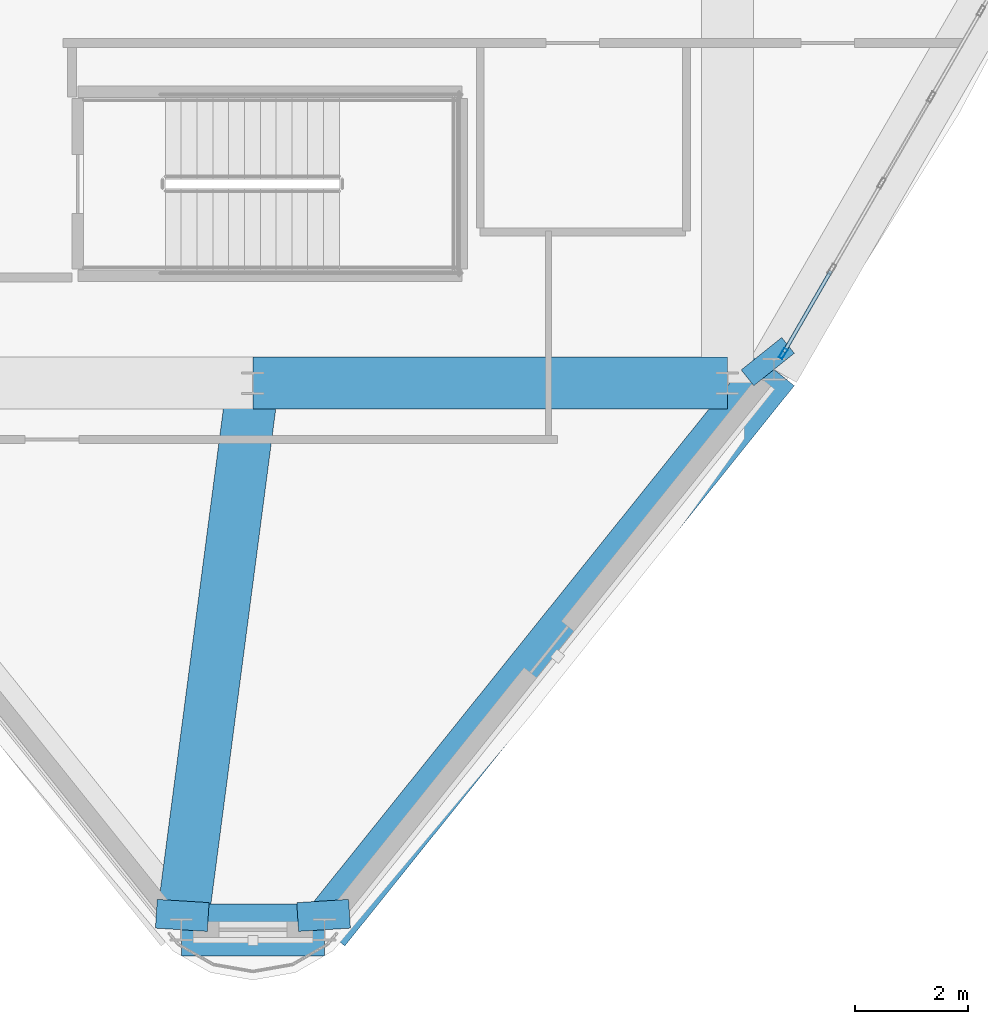
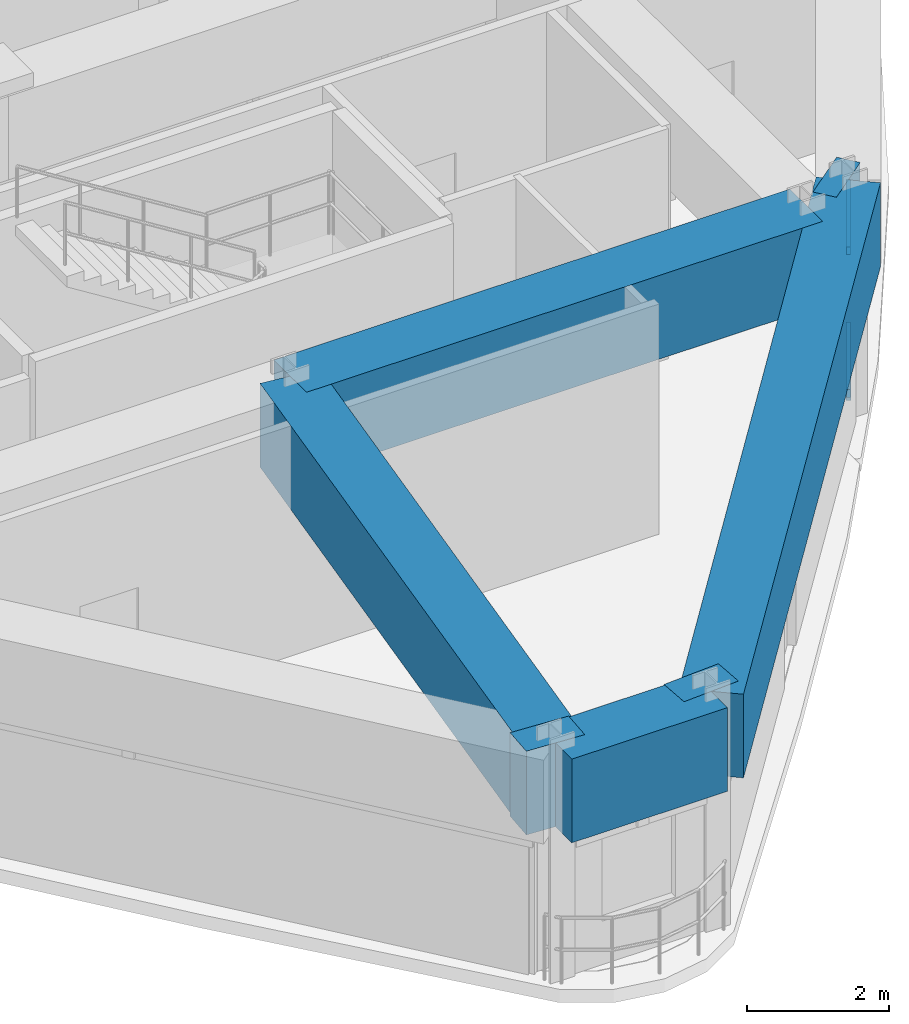
# One storey, part 3 of 17: 7 beams, 3 members, 1 element without a shape of its own.
"""IFC4 building model written with IfcOpenShell, lengths in metres."""

import ifcopenshell
import ifcopenshell.guid

model = None  # the IFC model being written
_history = None  # IfcOwnerHistory: only IFC2X3 demands one
_inside = {}  # id of a spatial element -> (the spatial element, [elements in it])
_under = {}  # id of a project, library or spatial element -> (it, [spatial elements below it])
_declared = {}  # id of a project -> (the project, [libraries it declares])
_typed = {}  # id of a type object -> (the type object, [elements of that type])
_made_of = {}  # id of a material, layer set ... -> (it, [elements and type objects made of it])


def new_model(schema):
    """Start an empty IFC model of exactly this schema.

    Asked for "IFC4X3", IfcOpenShell would pick the latest addendum, in which some entities
    have other attributes; the version numbers below select the first issue.
    IFC2X3 requires an IfcOwnerHistory on every rooted entity: one is made here for all.
    """
    global model, _history
    if schema == "IFC4X3":
        model = ifcopenshell.file(schema_version=(4, 3, 0, 0))
    else:
        model = ifcopenshell.file(schema=schema)
    _inside.clear()
    _under.clear()
    _declared.clear()
    _typed.clear()
    _made_of.clear()
    _history = None
    if model.schema == "IFC2X3":
        org = make("IfcOrganization", Name="unknown")
        user = make(
            "IfcPersonAndOrganization",
            ThePerson=make("IfcPerson", FamilyName="unknown"),
            TheOrganization=org,
        )
        app = make(
            "IfcApplication",
            ApplicationDeveloper=org,
            Version="unknown",
            ApplicationFullName="unknown",
            ApplicationIdentifier="unknown",
        )
        _history = make(
            "IfcOwnerHistory",
            OwningUser=user,
            OwningApplication=app,
            ChangeAction="ADDED",
            CreationDate=0,
        )
    return model


def make(cls, **values):
    """One entity of the class cls with the attributes given. An attribute that is None is left unset."""
    return model.create_entity(
        cls, **{name: value for name, value in values.items() if value is not None}
    )


def rooted(cls, **values):
    """An entity with a GlobalId (a new one), such as an element, a storey or a relation."""
    return make(cls, GlobalId=ifcopenshell.guid.new(), OwnerHistory=_history, **values)


def si_unit(unit_type, name, prefix=None):
    """IfcSIUnit, for example si_unit("LENGTHUNIT", "METRE", prefix="MILLI")."""
    return make("IfcSIUnit", UnitType=unit_type, Prefix=prefix, Name=name)


def derived_unit(unit_type, elements):
    """IfcDerivedUnit: a product of units, each with its exponent."""
    return make(
        "IfcDerivedUnit",
        Elements=[
            make("IfcDerivedUnitElement", Unit=unit, Exponent=power)
            for unit, power in elements
        ],
        UnitType=unit_type,
    )


def assignment(units):
    """IfcUnitAssignment: the units of a project."""
    return None if units is None else make("IfcUnitAssignment", Units=units)


def point(xyz):
    """IfcCartesianPoint."""
    return None if xyz is None else make("IfcCartesianPoint", Coordinates=xyz)


def direction(xyz):
    """IfcDirection."""
    return None if xyz is None else make("IfcDirection", DirectionRatios=xyz)


def frame(location, z_axis=None, x_axis=None):
    """IfcAxis2Placement3D, a coordinate frame: its origin and axes. An axis left out is left unset."""
    return make(
        "IfcAxis2Placement3D",
        Location=point(location),
        Axis=direction(z_axis),
        RefDirection=direction(x_axis),
    )


def frame_2d(location, x_axis=None):
    """IfcAxis2Placement2D, a coordinate frame in the plane: its origin and x axis."""
    return make(
        "IfcAxis2Placement2D", Location=point(location), RefDirection=direction(x_axis)
    )


def origin():
    """The frame at (0, 0, 0) with its axes left unset."""
    return frame((0.0, 0.0, 0.0))


def origin_2d():
    """The frame at (0, 0) in the plane with its x axis left unset."""
    return frame_2d((0.0, 0.0))


def place(relative_to, where):
    """IfcLocalPlacement: puts the frame where relative to a parent placement (None: the world)."""
    return make(
        "IfcLocalPlacement", PlacementRelTo=relative_to, RelativePlacement=where
    )


def context(
    kind, dimensions, precision=None, world=None, true_north=None, identifier=None
):
    """IfcGeometricRepresentationContext, for example the 3D "Model" context."""
    return make(
        "IfcGeometricRepresentationContext",
        ContextIdentifier=identifier,
        ContextType=kind,
        CoordinateSpaceDimension=dimensions,
        Precision=precision,
        WorldCoordinateSystem=world,
        TrueNorth=true_north,
    )


def subcontext(parent, identifier, kind, view, scale=None):
    """IfcGeometricRepresentationSubContext, for example "Body" below "Model"."""
    return make(
        "IfcGeometricRepresentationSubContext",
        ContextIdentifier=identifier,
        ContextType=kind,
        ParentContext=parent,
        TargetScale=scale,
        TargetView=view,
    )


def project(units=None, contexts=None):
    """IfcProject with its units and contexts."""
    return rooted(
        "IfcProject",
        Name="project",
        RepresentationContexts=contexts,
        UnitsInContext=assignment(units),
    )


def spatial(cls, under=None, at=None, **own):
    """A site, building, storey or space (cls), placed at a placement, below another one or the project."""
    s = rooted(cls, ObjectPlacement=at, **own)
    if under is not None:
        _under.setdefault(under.id(), (under, []))[1].append(s)
    return s


def profile(cls, at=None, kind="AREA", **sizes):
    """A parametric profile (cls). Its sizes go by their IFC names, for example OverallWidth=200.0."""
    return make(cls, ProfileType=kind, Position=at, **sizes)


def rectangle(**sizes):
    """IfcRectangleProfileDef."""
    return profile("IfcRectangleProfileDef", **sizes)


def hollow_rectangle(**sizes):
    """IfcRectangleHollowProfileDef."""
    return profile("IfcRectangleHollowProfileDef", **sizes)


def extrude(swept, where, along, depth):
    """IfcExtrudedAreaSolid: the profile swept, set in the frame where, extruded along a direction by depth."""
    return make(
        "IfcExtrudedAreaSolid",
        SweptArea=swept,
        Position=where,
        ExtrudedDirection=direction(along),
        Depth=depth,
    )


def shape(context_of_items, identifier, shape_type, items):
    """IfcShapeRepresentation: the items that make up one representation, for example the "Body"."""
    return make(
        "IfcShapeRepresentation",
        ContextOfItems=context_of_items,
        RepresentationIdentifier=identifier,
        RepresentationType=shape_type,
        Items=items,
    )


def source(mapping_origin, context_of_items, identifier, shape_type, items):
    """IfcRepresentationMap: a shape defined once, which mapped items show again and again."""
    return make(
        "IfcRepresentationMap",
        MappingOrigin=mapping_origin,
        MappedRepresentation=shape(context_of_items, identifier, shape_type, items),
    )


def transform(
    local_origin,
    x_axis=None,
    y_axis=None,
    z_axis=None,
    scale=None,
    scale2=None,
    scale3=None,
    uniform=True,
):
    """IfcCartesianTransformationOperator3D, or its non-uniform kind. x_axis, y_axis, z_axis: its Axis1, 2, 3."""
    if uniform:
        return make(
            "IfcCartesianTransformationOperator3D",
            Axis1=direction(x_axis),
            Axis2=direction(y_axis),
            LocalOrigin=point(local_origin),
            Scale=scale,
            Axis3=direction(z_axis),
        )
    return make(
        "IfcCartesianTransformationOperator3DnonUniform",
        Axis1=direction(x_axis),
        Axis2=direction(y_axis),
        LocalOrigin=point(local_origin),
        Scale=scale,
        Axis3=direction(z_axis),
        Scale2=scale2,
        Scale3=scale3,
    )


def mapped(mapping_source, mapping_target):
    """IfcMappedItem: shows the shape of a source again, moved by a transform."""
    return make(
        "IfcMappedItem", MappingSource=mapping_source, MappingTarget=mapping_target
    )


def material(Name=None, Category=None):
    """IfcMaterial."""
    return make("IfcMaterial", Name=Name, Category=Category)


def layer(
    of_material, thickness, ventilated=None, Name=None, Category=None, Priority=None
):
    """IfcMaterialLayer: one layer of a wall or slab, of a material (None: an air gap)."""
    return make(
        "IfcMaterialLayer",
        Material=of_material,
        LayerThickness=thickness,
        IsVentilated=ventilated,
        Name=Name,
        Category=Category,
        Priority=Priority,
    )


def layer_set(layers, Name=None):
    """IfcMaterialLayerSet."""
    return make("IfcMaterialLayerSet", MaterialLayers=layers, LayerSetName=Name)


def material_profile(
    of_material, cross_section, Name=None, Category=None, Priority=None
):
    """IfcMaterialProfile: a cross section and its material."""
    return make(
        "IfcMaterialProfile",
        Name=Name,
        Material=of_material,
        Profile=cross_section,
        Priority=Priority,
        Category=Category,
    )


def profile_set(profiles, Name=None, composite=None):
    """IfcMaterialProfileSet."""
    return make(
        "IfcMaterialProfileSet",
        Name=Name,
        MaterialProfiles=profiles,
        CompositeProfile=composite,
    )


def made_of(thing, what):
    """Note that an element or type object is made of a material, layer set ...; save() writes the relation."""
    if what is not None:
        _made_of.setdefault(what.id(), (what, []))[1].append(thing)
    return thing


def type_object(cls, material=None, **own):
    """A type object (cls), such as IfcWallType, which elements share."""
    return made_of(rooted(cls, **own), material)


def element(
    cls,
    number,
    at=None,
    inside=None,
    cuts=None,
    type_object=None,
    material=None,
    context=None,
    identifier="Body",
    shape_type=None,
    held_by="IfcProductDefinitionShape",
    body=None,
    shapes=None,
    **own,
):
    """One element of the class cls, such as IfcWall. Its Tag is "e" and its number.

    at: its placement. inside: the storey or other place that contains it. cuts: it is an
    opening in that element (IfcRelVoidsElement). A single representation is given by context,
    identifier, shape_type and body (its items); several are given by shapes. held_by: the class
    of the entity that holds the representations. save() writes the other relations.
    """
    e = rooted(cls, Tag="e%d" % number, ObjectPlacement=at, **own)
    if body is not None:
        shapes = [shape(context, identifier, shape_type, body)]
    if shapes is not None:
        e.Representation = make(held_by, Representations=shapes)
    if inside is not None:
        _inside.setdefault(inside.id(), (inside, []))[1].append(e)
    if cuts is not None:
        rooted(
            "IfcRelVoidsElement", RelatingBuildingElement=cuts, RelatedOpeningElement=e
        )
    if type_object is not None:
        _typed.setdefault(type_object.id(), (type_object, []))[1].append(e)
    return made_of(e, material)


def aggregate(whole, parts):
    """IfcRelAggregates: a whole, such as a stair, and the parts it consists of."""
    return rooted("IfcRelAggregates", RelatingObject=whole, RelatedObjects=parts)


def save(model, path):
    """Write the relations noted so far, then the file.

    IfcRelAggregates (storeys below a building ...), IfcRelContainedInSpatialStructure (elements
    in a storey), IfcRelDefinesByType, IfcRelAssociatesMaterial and IfcRelDeclares: one each for
    every whole, place, type object, material and project.
    """
    for whole, parts in _under.values():
        aggregate(whole, parts)
    for where, things in _inside.values():
        rooted(
            "IfcRelContainedInSpatialStructure",
            RelatedElements=things,
            RelatingStructure=where,
        )
    for kind, things in _typed.values():
        rooted("IfcRelDefinesByType", RelatedObjects=things, RelatingType=kind)
    for what, things in _made_of.values():
        rooted("IfcRelAssociatesMaterial", RelatedObjects=things, RelatingMaterial=what)
    for by, libraries in _declared.values():
        rooted("IfcRelDeclares", RelatingContext=by, RelatedDefinitions=libraries)
    model.write(path)


model = new_model("IFC4")

# Units and contexts
model_context = context("Model", 3, precision=1e-05, world=origin(), true_north=direction((0.0, 1.0)))
body_context = subcontext(model_context, "Body", "Model", "MODEL_VIEW")
ifc_project = project(units=[si_unit("LENGTHUNIT", "METRE"), si_unit("AREAUNIT", "SQUARE_METRE"), si_unit("VOLUMEUNIT", "CUBIC_METRE"), si_unit("PLANEANGLEUNIT", "RADIAN"), si_unit("MASSUNIT", "GRAM", prefix="KILO"), derived_unit("THERMALTRANSMITTANCEUNIT", [(si_unit("POWERUNIT", "WATT"), 1), (si_unit("LENGTHUNIT", "METRE"), -2), (si_unit("THERMODYNAMICTEMPERATUREUNIT", "KELVIN"), -1)])], contexts=[model_context])

# Site, building, storey
site_placement = place(None, origin())
site = spatial("IfcSite", under=ifc_project, at=site_placement, CompositionType="ELEMENT")
building_placement = place(site_placement, origin())
building = spatial("IfcBuilding", under=site, at=building_placement, Name="Korsvarv Bourse and Concert Hall", CompositionType="ELEMENT")
storey_placement = place(building_placement, frame((0.0, 0.0, 279.60009765625)))
storey = spatial("IfcBuildingStorey", under=building, at=storey_placement, Name="L73", CompositionType="ELEMENT", Elevation=279.60009765625)

# Beams
ifc_material_1 = material(Name="Concrete C50/60", Category="concrete")
ifc_material_profile_1 = material_profile(ifc_material_1, rectangle(XDim=0.919921875, YDim=1.43994140625, at=origin_2d()), Name="RC-BM 920x1440")
ifc_profile_set_1 = profile_set([ifc_material_profile_1], Name="Concrete C50/60")
beam_type = type_object("IfcBeamType", Name="BM-TR-144", PredefinedType="BEAM", material=ifc_profile_set_1)
shared_shape_1 = source(origin(), body_context, "Body", "SweptSolid", [
    extrude(rectangle(XDim=0.919921875, YDim=1.43994140625, at=origin_2d()), origin(), (0.0, 0.0, 1.0), 8.39990234375),
])
beam_1_placement = place(storey_placement, frame((36.0, 24.0, 3.239990234375), z_axis=(1.0, 0.0, 0.0), x_axis=(0.0, 1.0, 0.0)))
element("IfcBeam", 1, at=beam_1_placement, inside=storey, type_object=beam_type, Name="L73 beam B-TR4", PredefinedType="BEAM", context=body_context, shape_type="MappedRepresentation", body=[
    mapped(shared_shape_1, transform((0.0, 0.0, 0.0), scale=1.0)),
])
shared_shape_2 = source(origin(), body_context, "Body", "SweptSolid", [
    extrude(rectangle(XDim=0.919921875, YDim=1.43994140625, at=origin_2d()), origin(), (0.0, 0.0, 1.0), 0.510498046875),
])
for number, where, z_axis, x_axis, name in (
    (2, (34.73291015625, 14.323486328125, 3.239990234375), (0.062646233461, 0.998035795667, 0.0), (-0.998035795667, 0.062646233461, 0.0), "L73 beam B-TR4"),
    (3, (37.26708984375, 14.323486328125, 3.239990234375), (-0.062646233461, 0.998035795667, 0.0), (-0.998035795667, -0.062646233461, 0.0), "L73 beam B-TR4"),
):
    element("IfcBeam", number, at=place(storey_placement, frame(where, z_axis=z_axis, x_axis=x_axis)), inside=storey, type_object=beam_type, Name=name, PredefinedType="BEAM", context=body_context, shape_type="MappedRepresentation", body=[
        mapped(shared_shape_2, transform((0.0, 0.0, 0.0), scale=1.0)),
    ])
shared_shape_3 = source(origin(), body_context, "Body", "SweptSolid", [
    extrude(rectangle(XDim=0.919921875, YDim=1.43994140625, at=origin_2d()), origin(), (0.0, 0.0, 1.0), 0.3564453125),
])
beam_2_placement = place(storey_placement, frame((45.22509765625, 24.24267578125, 3.239990234375), z_axis=(-0.624695047554, 0.780868809443, 0.0), x_axis=(-0.780868809443, -0.624695047554, 0.0)))
element("IfcBeam", 4, at=beam_2_placement, inside=storey, type_object=beam_type, Name="L73 beam B-TR4", PredefinedType="BEAM", context=body_context, shape_type="MappedRepresentation", body=[
    mapped(shared_shape_3, transform((0.0, 0.0, 0.0), scale=1.0)),
])
shared_shape_4 = source(origin(), body_context, "Body", "SweptSolid", [
    extrude(rectangle(XDim=0.919921875, YDim=1.43994140625, at=origin_2d()), origin(), (0.0, 0.0, 1.0), 12.717041015625),
])
beam_3_placement = place(storey_placement, frame((37.26708984375, 14.323486328125, 3.239990234375), z_axis=(0.625780773695, 0.779998989277, 0.0), x_axis=(-0.779998989277, 0.625780773695, 0.0)))
element("IfcBeam", 5, at=beam_3_placement, inside=storey, type_object=beam_type, Name="L73 beam B-TR4", PredefinedType="BEAM", context=body_context, shape_type="MappedRepresentation", body=[
    mapped(shared_shape_4, transform((0.0, 0.0, 0.0), scale=1.0)),
])
shared_shape_5 = source(origin(), body_context, "Body", "SweptSolid", [
    extrude(rectangle(XDim=0.919921875, YDim=1.43994140625, at=origin_2d()), origin(), (0.0, 0.0, 1.0), 2.5341796875),
])
beam_4_placement = place(storey_placement, frame((34.73291015625, 14.323486328125, 3.239990234375), z_axis=(1.0, 0.0, 0.0), x_axis=(0.0, 1.0, 0.0)))
element("IfcBeam", 6, at=beam_4_placement, inside=storey, type_object=beam_type, Name="L73 beam B-TR4", PredefinedType="BEAM", context=body_context, shape_type="MappedRepresentation", body=[
    mapped(shared_shape_5, transform((0.0, 0.0, 0.0), scale=1.0)),
])
shared_shape_6 = source(origin(), body_context, "Body", "SweptSolid", [
    extrude(rectangle(XDim=0.919921875, YDim=1.43994140625, at=origin_2d()), origin(), (0.0, 0.0, 1.0), 9.759033203125),
])
beam_5_placement = place(storey_placement, frame((34.73291015625, 14.323486328125, 3.239990234375), z_axis=(0.129836478593, 0.991535419855, 0.0), x_axis=(-0.991535419855, 0.129836478593, 0.0)))
element("IfcBeam", 7, at=beam_5_placement, inside=storey, type_object=beam_type, Name="L73 beam B-TR4", PredefinedType="BEAM", context=body_context, shape_type="MappedRepresentation", body=[
    mapped(shared_shape_6, transform((0.0, 0.0, 0.0), scale=1.0)),
])

# Curtain wall, members
ifc_material_2 = material(Name="Anodised aluminium and triple low-E glazing", Category="glass")
ifc_layer = layer(ifc_material_2, 0.18994140625)
ifc_layer_set = layer_set([ifc_layer], Name="Anodised aluminium and triple low-E glazing")
curtain_wall_type = type_object("IfcCurtainWallType", Name="CW-SYS-4", PredefinedType="NOTDEFINED", material=ifc_layer_set)
curtain_wall_placement = place(storey_placement, origin())
curtain_wall = element("IfcCurtainWall", 8, at=curtain_wall_placement, inside=storey, type_object=curtain_wall_type, Name="L73 CW4 curtain wall CW-L73-F11", PredefinedType="NOTDEFINED")
ifc_material_3 = material(Name="Extruded aluminium EN AW-6063 T66", Category="aluminium")
ifc_material_profile_2 = material_profile(ifc_material_3, hollow_rectangle(XDim=0.070068359375, YDim=0.18994140625, WallThickness=0.0048828125, at=origin_2d()), Name="ALU-M 70x190")
ifc_profile_set_2 = profile_set([ifc_material_profile_2], Name="Extruded aluminium EN AW-6063 T66")
member_type_1 = type_object("IfcMemberType", Name="CWM-190", PredefinedType="MULLION", material=ifc_profile_set_2)
shared_shape_7 = source(origin(), body_context, "Body", "SweptSolid", [
    extrude(hollow_rectangle(XDim=0.070068359375, YDim=0.18994140625, WallThickness=0.0048828125, at=origin_2d()), origin(), (0.0, 0.0, 1.0), 2.52001953125),
])
member_1_placement = place(storey_placement, frame((45.38671875, 24.5224609375, 0.0), z_axis=(0.0, 0.0, 1.0), x_axis=(-0.866026512974, 0.499998078822, 0.0)))
member_1 = element("IfcMember", 9, at=member_1_placement, type_object=member_type_1, Name="CW4 mullion 1", PredefinedType="MULLION", context=body_context, shape_type="MappedRepresentation", body=[
    mapped(shared_shape_7, transform((0.0, 0.0, 0.0), scale=1.0)),
])
ifc_material_profile_3 = material_profile(ifc_material_3, hollow_rectangle(XDim=0.06494140625, YDim=0.139892578125, WallThickness=0.00390625, at=origin_2d()), Name="ALU-T 65x140")
ifc_profile_set_3 = profile_set([ifc_material_profile_3], Name="Extruded aluminium EN AW-6063 T66")
member_type_2 = type_object("IfcMemberType", Name="CWT-140", PredefinedType="USERDEFINED", material=ifc_profile_set_3)
shared_shape_8 = source(origin(), body_context, "Body", "SweptSolid", [
    extrude(hollow_rectangle(XDim=0.06494140625, YDim=0.139892578125, WallThickness=0.00390625, at=origin_2d()), origin(), (0.0, 0.0, 1.0), 1.655517578125),
])
member_2_placement = place(storey_placement, frame((45.404296875, 24.552734375, 0.032470703125), z_axis=(0.499913935915, 0.866075087206, 0.0), x_axis=(-0.866075087206, 0.499913935915, 0.0)))
member_2 = element("IfcMember", 10, at=member_2_placement, type_object=member_type_2, Name="CW4 transom 1.1", ObjectType="TRANSOM", PredefinedType="USERDEFINED", context=body_context, shape_type="MappedRepresentation", body=[
    mapped(shared_shape_8, transform((0.0, 0.0, 0.0), scale=1.0)),
])
member_3_placement = place(storey_placement, frame((45.404296875, 24.552734375, 2.4873046875), z_axis=(0.499913935915, 0.866075087206, 0.0), x_axis=(-0.866075087206, 0.499913935915, 0.0)))
member_3 = element("IfcMember", 11, at=member_3_placement, type_object=member_type_2, Name="CW4 transom 1.2", ObjectType="TRANSOM", PredefinedType="USERDEFINED", context=body_context, shape_type="MappedRepresentation", body=[
    mapped(shared_shape_8, transform((0.0, 0.0, 0.0), scale=1.0)),
])
aggregate(curtain_wall, [member_1, member_2, member_3])

save(model, "model.ifc")
